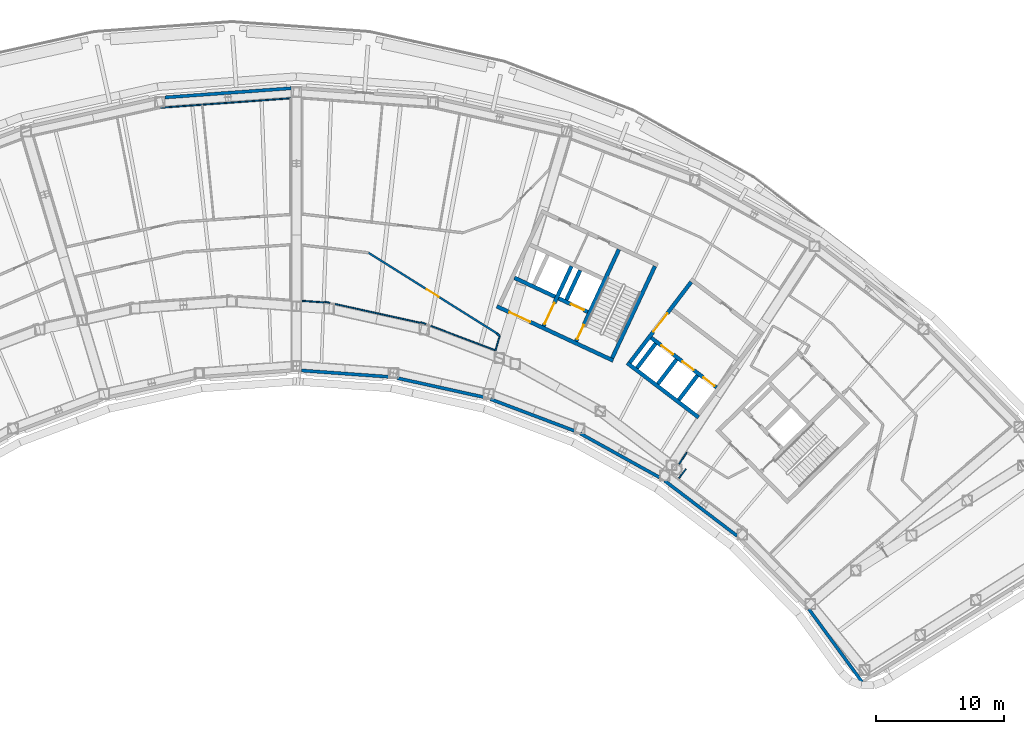
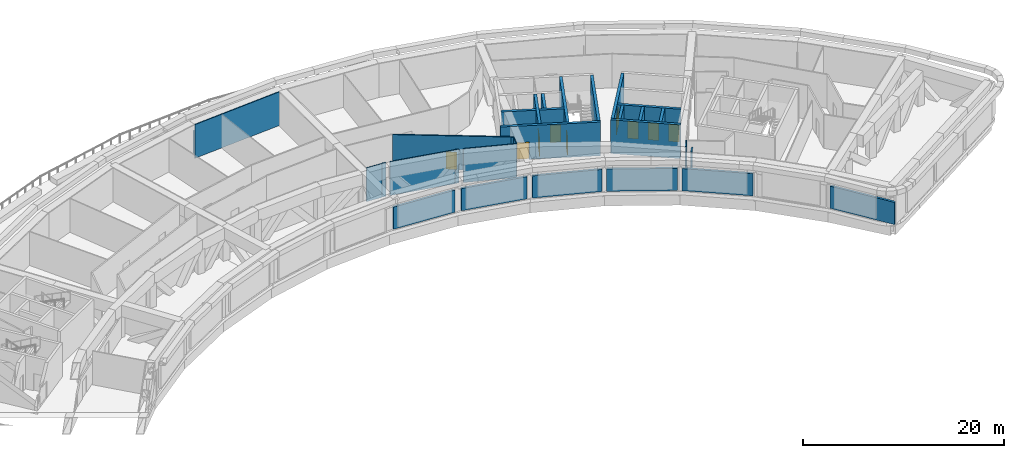
# One storey, part 9 of 24: 31 walls, 9 doors, 9 openings.
"""IFC4 building model written with IfcOpenShell, lengths in metres."""

from ifc_helpers import new_model, si_unit, direction, frame, frame_2d, origin, place, context, subcontext, project, spatial, rectangle, extrude, material, layer, layer_set, type_object, element, fill, save


model = new_model("IFC4")

# Units and contexts
model_context = context("Model", 3, precision=1e-05, world=origin(), true_north=direction((0.0, 1.0)))
body_context = subcontext(model_context, "Body", "Model", "MODEL_VIEW")
ifc_project = project(units=[si_unit("LENGTHUNIT", "METRE"), si_unit("AREAUNIT", "SQUARE_METRE"), si_unit("VOLUMEUNIT", "CUBIC_METRE"), si_unit("PLANEANGLEUNIT", "RADIAN"), si_unit("MASSUNIT", "GRAM", prefix="KILO")], contexts=[model_context])

# Site, building, storey
site_placement = place(None, origin())
site = spatial("IfcSite", under=ifc_project, at=site_placement, CompositionType="ELEMENT")
building_placement = place(site_placement, origin())
building = spatial("IfcBuilding", under=site, at=building_placement, Name="Tuul Gate Civic Tower", CompositionType="ELEMENT")
storey_placement = place(building_placement, frame((0.0, 0.0, 94.800048828125)))
storey = spatial("IfcBuildingStorey", under=building, at=storey_placement, Name="Plant and refuge floor 3", CompositionType="ELEMENT", Elevation=94.800048828125)

# Wall, opening, door
ifc_material_1 = material(Name="Concrete C50/60", Category="concrete")
ifc_layer_1 = layer(ifc_material_1, 0.300048828125)
ifc_layer_set_1 = layer_set([ifc_layer_1], Name="Concrete C50/60")
wall_type_1 = type_object("IfcWallType", Name="Core wall C50/60", PredefinedType="SHEAR", material=ifc_layer_set_1)
wall_1_placement = place(storey_placement, frame((34.5283203125, -7.25, 0.0), z_axis=(0.0, 0.0, 1.0), x_axis=(-0.906310338845, 0.422612789327, 0.0)))
wall_1 = element("IfcWall", 1, at=wall_1_placement, inside=storey, type_object=wall_type_1, Name="Core wall", PredefinedType="SHEAR", context=body_context, shape_type="SweptSolid", body=[
    extrude(rectangle(XDim=9.999755859375, YDim=0.300048828125, at=frame_2d((5.0, 0.0))), origin(), (0.0, 0.0, 1.0), 4.099853515625),
])
opening_1_placement = place(wall_1_placement, frame((7.125, 0.0, 0.0)))
opening_1 = element("IfcOpeningElement", 2, at=opening_1_placement, cuts=wall_1, Name="Opening LB-E3-LOBBY-1", PredefinedType="OPENING", context=body_context, shape_type="SweptSolid", body=[
    extrude(rectangle(XDim=1.800048828125, YDim=2.10009765625, at=frame_2d((0.89990234375, 1.050048828125))), frame((0.0, 0.16015625, 0.0), z_axis=(0.0, -1.0, 0.0), x_axis=(1.0, 0.0, 0.0)), (0.0, 0.0, 1.0), 0.320068359375),
])
ifc_material_2 = material(Name="Steel", Category="steel")
door_type_1 = type_object("IfcDoorType", Name="Lobby door", OperationType="DOUBLE_DOOR_SINGLE_SWING", PredefinedType="DOOR", material=ifc_material_2)
door_1_placement = place(opening_1_placement, frame((1.800048828125, 0.0, 0.0), z_axis=(0.0, 0.0, 1.0), x_axis=(-1.0, 0.0, 0.0)))
door_1 = element("IfcDoor", 3, at=door_1_placement, inside=storey, type_object=door_type_1, Name="Lobby door E3-LOBBY", OperationType="DOUBLE_DOOR_SINGLE_SWING", OverallHeight=2.10009765625, OverallWidth=1.800048828125, PredefinedType="DOOR", context=body_context, shape_type="SweptSolid", body=[
    extrude(rectangle(XDim=1.800048828125, YDim=2.10009765625, at=frame_2d((0.900146484375, 1.050048828125))), frame((0.0, 0.02490234375, 0.0), z_axis=(0.0, -1.0, 0.0), x_axis=(1.0, 0.0, 0.0)), (0.0, 0.0, 1.0), 0.050048828125),
])
fill(opening_1, door_1)

wall_2_placement = place(storey_placement, frame((32.545654296875, -3.456787109375, 0.0), z_axis=(0.0, 0.0, 1.0), x_axis=(-0.906300357825, 0.42263419337, 0.0)))
wall_2 = element("IfcWall", 4, at=wall_2_placement, inside=storey, type_object=wall_type_1, Name="Core wall", PredefinedType="SHEAR", context=body_context, shape_type="SweptSolid", body=[
    extrude(rectangle(XDim=2.500244140625, YDim=0.300048828125, at=frame_2d((1.25, 0.0))), origin(), (0.0, 0.0, 1.0), 4.099853515625),
])
opening_2_placement = place(wall_2_placement, frame((0.324951171875, 0.0, 0.0)))
opening_2 = element("IfcOpeningElement", 5, at=opening_2_placement, cuts=wall_2, Name="Opening LD-FF-2", PredefinedType="OPENING", context=body_context, shape_type="SweptSolid", body=[
    extrude(rectangle(XDim=1.10009765625, YDim=2.10009765625, at=frame_2d((0.550048828125, 1.050048828125))), frame((0.0, 0.16015625, 0.0), z_axis=(0.0, -1.0, 0.0), x_axis=(1.0, 0.0, 0.0)), (0.0, 0.0, 1.0), 0.320068359375),
])
ifc_material_3 = material(Name="Stainless steel", Category="steel")
door_type_2 = type_object("IfcDoorType", Name="Landing door", OperationType="DOUBLE_DOOR_SLIDING", PredefinedType="DOOR", material=ifc_material_3)
door_2_placement = place(opening_2_placement, origin())
door_2 = element("IfcDoor", 6, at=door_2_placement, inside=storey, type_object=door_type_2, Name="Fire-fighting lift FF-2 landing door", OperationType="DOUBLE_DOOR_SLIDING", OverallHeight=2.10009765625, OverallWidth=1.10009765625, PredefinedType="DOOR", context=body_context, shape_type="SweptSolid", body=[
    extrude(rectangle(XDim=1.10009765625, YDim=2.10009765625, at=frame_2d((0.550048828125, 1.050048828125))), frame((0.0, 0.02490234375, 0.0), z_axis=(0.0, -1.0, 0.0), x_axis=(1.0, 0.0, 0.0)), (0.0, 0.0, 1.0), 0.050048828125),
])
fill(opening_2, door_2)

# Walls
wall_3_placement = place(storey_placement, frame((30.0078125, -2.2734375, 0.0), z_axis=(0.0, 0.0, 1.0), x_axis=(-0.90630071767, 0.422633421716, 0.0)))
element("IfcWall", 7, at=wall_3_placement, inside=storey, type_object=wall_type_1, Name="Core wall", PredefinedType="SHEAR", context=body_context, shape_type="SweptSolid", body=[
    extrude(rectangle(XDim=3.5, YDim=0.300048828125, at=frame_2d((1.75, 0.0))), origin(), (0.0, 0.0, 1.0), 4.099853515625),
])
wall_4_placement = place(storey_placement, frame((34.455810546875, -7.05078125, 0.0), z_axis=(0.0, 0.0, 1.0), x_axis=(0.422570768258, 0.906329932096, 0.0)))
element("IfcWall", 8, at=wall_4_placement, inside=storey, type_object=wall_type_1, Name="Core wall", PredefinedType="SHEAR", context=body_context, shape_type="SweptSolid", body=[
    extrude(rectangle(XDim=7.900146484375, YDim=0.300048828125, at=frame_2d((3.9501953125, 0.0))), origin(), (0.0, 0.0, 1.0), 4.099853515625),
])

# Wall, opening, door
wall_5_placement = place(storey_placement, frame((31.646240234375, -5.740478515625, 0.0), z_axis=(0.0, 0.0, 1.0), x_axis=(0.422582604137, 0.906324413596, 0.0)))
wall_5 = element("IfcWall", 9, at=wall_5_placement, inside=storey, type_object=wall_type_1, Name="Core wall", PredefinedType="SHEAR", context=body_context, shape_type="SweptSolid", body=[
    extrude(rectangle(XDim=7.89990234375, YDim=0.300048828125, at=frame_2d((3.949951171875, 0.0))), origin(), (0.0, 0.0, 1.0), 4.099853515625),
])
opening_3_placement = place(wall_5_placement, frame((0.199951171875, 0.0, 0.0)))
opening_3 = element("IfcOpeningElement", 10, at=opening_3_placement, cuts=wall_5, Name="Opening SD-ST-4", PredefinedType="OPENING", context=body_context, shape_type="SweptSolid", body=[
    extrude(rectangle(XDim=1.199951171875, YDim=2.10009765625, at=frame_2d((0.60009765625, 1.050048828125))), frame((0.0, 0.16015625, 0.0), z_axis=(0.0, -1.0, 0.0), x_axis=(1.0, 0.0, 0.0)), (0.0, 0.0, 1.0), 0.320068359375),
])
ifc_material_4 = material(Name="Steel", Category="steel")
door_type_3 = type_object("IfcDoorType", Name="Stair door", OperationType="NOTDEFINED", PredefinedType="DOOR", material=ifc_material_4)
door_3_placement = place(opening_3_placement, origin())
door_3 = element("IfcDoor", 11, at=door_3_placement, inside=storey, type_object=door_type_3, Name="Stair door ST-4", OperationType="SINGLE_SWING_LEFT", OverallHeight=2.10009765625, OverallWidth=1.199951171875, PredefinedType="DOOR", context=body_context, shape_type="SweptSolid", body=[
    extrude(rectangle(XDim=1.199951171875, YDim=2.10009765625, at=frame_2d((0.60009765625, 1.050048828125))), frame((0.0, 0.02490234375, 0.0), z_axis=(0.0, -1.0, 0.0), x_axis=(1.0, 0.0, 0.0)), (0.0, 0.0, 1.0), 0.050048828125),
])
fill(opening_3, door_3)

# Wall
wall_6_placement = place(storey_placement, frame((30.886962890625, -2.517822265625, 0.0), z_axis=(0.0, 0.0, 1.0), x_axis=(0.422612891016, 0.906310291427, 0.0)))
element("IfcWall", 12, at=wall_6_placement, inside=storey, type_object=wall_type_1, Name="Core wall", PredefinedType="SHEAR", context=body_context, shape_type="SweptSolid", body=[
    extrude(rectangle(XDim=2.550048828125, YDim=0.300048828125, at=frame_2d((1.27490234375, 0.0))), origin(), (0.0, 0.0, 1.0), 4.099853515625),
])

# Wall, opening, door
wall_7_placement = place(storey_placement, frame((29.108642578125, -4.557373046875, 0.0), z_axis=(0.0, 0.0, 1.0), x_axis=(0.422566235356, 0.90633204552, 0.0)))
wall_7 = element("IfcWall", 13, at=wall_7_placement, inside=storey, type_object=wall_type_1, Name="Core wall", PredefinedType="SHEAR", context=body_context, shape_type="SweptSolid", body=[
    extrude(rectangle(XDim=5.150146484375, YDim=0.300048828125, at=frame_2d((2.5751953125, 0.0))), origin(), (0.0, 0.0, 1.0), 4.099853515625),
])
opening_4_placement = place(wall_7_placement, frame((0.175048828125, 0.0, 0.0)))
opening_4 = element("IfcOpeningElement", 14, at=opening_4_placement, cuts=wall_7, Name="Opening LB-E3-FLOBBY-1", PredefinedType="OPENING", context=body_context, shape_type="SweptSolid", body=[
    extrude(rectangle(XDim=1.800048828125, YDim=2.10009765625, at=frame_2d((0.89990234375, 1.050048828125))), frame((0.0, 0.16015625, 0.0), z_axis=(0.0, -1.0, 0.0), x_axis=(1.0, 0.0, 0.0)), (0.0, 0.0, 1.0), 0.320068359375),
])
door_4_placement = place(opening_4_placement, frame((1.800048828125, 0.0, 0.0), z_axis=(0.0, 0.0, 1.0), x_axis=(-1.0, 0.0, 0.0)))
door_4 = element("IfcDoor", 15, at=door_4_placement, inside=storey, type_object=door_type_1, Name="Lobby door E3-FLOBBY", OperationType="DOUBLE_DOOR_SINGLE_SWING", OverallHeight=2.10009765625, OverallWidth=1.800048828125, PredefinedType="DOOR", context=body_context, shape_type="SweptSolid", body=[
    extrude(rectangle(XDim=1.800048828125, YDim=2.10009765625, at=frame_2d((0.900146484375, 1.050048828125))), frame((0.0, 0.02490234375, 0.0), z_axis=(0.0, -1.0, 0.0), x_axis=(1.0, 0.0, 0.0)), (0.0, 0.0, 1.0), 0.050048828125),
])
fill(opening_4, door_4)

ifc_material_5 = material(Name="Gypsum board partition")
ifc_layer_2 = layer(ifc_material_5, 0.14990234375)
ifc_layer_set_2 = layer_set([ifc_layer_2], Name="Gypsum board partition")
wall_type_2 = type_object("IfcWallType", Name="Corridor wall P150", PredefinedType="PARTITIONING", material=ifc_layer_set_2)
wall_8_placement = place(storey_placement, frame((15.45361328125, 1.156005859375, 0.0), z_axis=(0.0, 0.0, 1.0), x_axis=(0.847100304124, -0.531433038824, 0.0)))
wall_8 = element("IfcWall", 16, at=wall_8_placement, inside=storey, type_object=wall_type_2, Name="p012", PredefinedType="PARTITIONING", context=body_context, shape_type="SweptSolid", body=[
    extrude(rectangle(XDim=11.837890625, YDim=0.14990234375, at=frame_2d((5.9189453125, 0.0))), origin(), (0.0, 0.0, 1.0), 4.099853515625),
])
opening_5_placement = place(wall_8_placement, frame((5.368896484375, 0.0, 0.0)))
opening_5 = element("IfcOpeningElement", 17, at=opening_5_placement, cuts=wall_8, Name="Opening PA-D11", PredefinedType="OPENING", context=body_context, shape_type="SweptSolid", body=[
    extrude(rectangle(XDim=1.10009765625, YDim=2.10009765625, at=frame_2d((0.550048828125, 1.050048828125))), frame((0.0, 0.0849609375, 0.0), z_axis=(0.0, -1.0, 0.0), x_axis=(1.0, 0.0, 0.0)), (0.0, 0.0, 1.0), 0.169921875),
])
ifc_material_6 = material(Name="Timber door leaf", Category="wood")
door_type_4 = type_object("IfcDoorType", Name="Door D11", OperationType="NOTDEFINED", PredefinedType="DOOR", material=ifc_material_6)
door_5_placement = place(opening_5_placement, frame((1.10009765625, 0.0, 0.0), z_axis=(0.0, 0.0, 1.0), x_axis=(-1.0, 0.0, 0.0)))
door_5 = element("IfcDoor", 18, at=door_5_placement, inside=storey, type_object=door_type_4, Name="Door PA-D11", OperationType="SINGLE_SWING_LEFT", OverallHeight=2.10009765625, OverallWidth=1.10009765625, PredefinedType="DOOR", context=body_context, shape_type="SweptSolid", body=[
    extrude(rectangle(XDim=1.10009765625, YDim=2.10009765625, at=frame_2d((0.550048828125, 1.050048828125))), frame((0.0, 0.02490234375, 0.0), z_axis=(0.0, -1.0, 0.0), x_axis=(1.0, 0.0, 0.0)), (0.0, 0.0, 1.0), 0.050048828125),
])
fill(opening_5, door_5)

# Walls
wall_9_placement = place(storey_placement, frame((25.486328125, -5.138916015625, 0.0), z_axis=(0.0, 0.0, 1.0), x_axis=(0.674249577441, -0.73850355945, 0.0)))
element("IfcWall", 19, at=wall_9_placement, inside=storey, type_object=wall_type_2, Name="p028", PredefinedType="PARTITIONING", context=body_context, shape_type="SweptSolid", body=[
    extrude(rectangle(XDim=0.29248046875, YDim=0.14990234375, at=frame_2d((0.146240234375, 0.0))), origin(), (0.0, 0.0, 1.0), 4.099853515625),
])
ifc_material_7 = material(Name="Precast concrete C40/50", Category="concrete")
ifc_layer_3 = layer(ifc_material_7, 0.25)
ifc_layer_set_3 = layer_set([ifc_layer_3], Name="Precast concrete C40/50")
wall_type_3 = type_object("IfcWallType", Name="External wall 2700 HIGH", PredefinedType="STANDARD", material=ifc_layer_set_3)
wall_10_placement = place(storey_placement, frame((9.428955078125, 13.983642578125, 0.0), z_axis=(0.0, 0.0, 1.0), x_axis=(-0.997380429457, -0.072334493409, 0.0)))
element("IfcWall", 20, at=wall_10_placement, inside=storey, type_object=wall_type_3, Name="External wall", PredefinedType="STANDARD", context=body_context, shape_type="SweptSolid", body=[
    extrude(rectangle(XDim=9.875732421875, YDim=0.25, at=frame_2d((4.93798828125, 0.0))), origin(), (0.0, 0.0, 1.0), 2.699951171875),
])
wall_11_placement = place(storey_placement, frame((10.22900390625, -8.024658203125, 0.0), z_axis=(0.0, 0.0, 1.0), x_axis=(0.997395153804, -0.072131180277, 0.0)))
element("IfcWall", 21, at=wall_11_placement, inside=storey, type_object=wall_type_3, Name="External wall", PredefinedType="STANDARD", context=body_context, shape_type="SweptSolid", body=[
    extrude(rectangle(XDim=6.78955078125, YDim=0.25, at=frame_2d((3.394775390625, 0.0))), origin(), (0.0, 0.0, 1.0), 2.699951171875),
])
wall_12_placement = place(storey_placement, frame((17.7080078125, -8.617919921875, 0.0), z_axis=(0.0, 0.0, 1.0), x_axis=(0.976561146318, -0.215240162382, 0.0)))
element("IfcWall", 22, at=wall_12_placement, inside=storey, type_object=wall_type_3, Name="External wall", PredefinedType="STANDARD", context=body_context, shape_type="SweptSolid", body=[
    extrude(rectangle(XDim=6.867919921875, YDim=0.25, at=frame_2d((3.43408203125, 0.0))), origin(), (0.0, 0.0, 1.0), 2.699951171875),
])
wall_13_placement = place(storey_placement, frame((24.954833984375, -10.251953125, 0.0), z_axis=(0.0, 0.0, 1.0), x_axis=(0.935355682323, -0.35370856301, 0.0)))
element("IfcWall", 23, at=wall_13_placement, inside=storey, type_object=wall_type_3, Name="External wall", PredefinedType="STANDARD", context=body_context, shape_type="SweptSolid", body=[
    extrude(rectangle(XDim=7.013427734375, YDim=0.25, at=frame_2d((3.5068359375, 0.0))), origin(), (0.0, 0.0, 1.0), 2.699951171875),
])
wall_14_placement = place(storey_placement, frame((31.967529296875, -12.93701171875, 0.0), z_axis=(0.0, 0.0, 1.0), x_axis=(0.874625686175, -0.484798833625, 0.0)))
element("IfcWall", 24, at=wall_14_placement, inside=storey, type_object=wall_type_3, Name="External wall", PredefinedType="STANDARD", context=body_context, shape_type="SweptSolid", body=[
    extrude(rectangle(XDim=7.074462890625, YDim=0.25, at=frame_2d((3.537109375, 0.0))), origin(), (0.0, 0.0, 1.0), 2.699951171875),
])
wall_15_placement = place(storey_placement, frame((38.54541015625, -16.617919921875, 0.0), z_axis=(0.0, 0.0, 1.0), x_axis=(0.795585563535, -0.605841242484, 0.0)))
element("IfcWall", 25, at=wall_15_placement, inside=storey, type_object=wall_type_3, Name="External wall", PredefinedType="STANDARD", context=body_context, shape_type="SweptSolid", body=[
    extrude(rectangle(XDim=7.1025390625, YDim=0.25, at=frame_2d((3.55126953125, 0.0))), origin(), (0.0, 0.0, 1.0), 2.699951171875),
])
wall_16_placement = place(storey_placement, frame((49.799560546875, -26.637939453125, 0.0), z_axis=(0.0, 0.0, 1.0), x_axis=(0.589738966527, -0.807593927267, 0.0)))
element("IfcWall", 26, at=wall_16_placement, inside=storey, type_object=wall_type_3, Name="External wall", PredefinedType="STANDARD", context=body_context, shape_type="SweptSolid", body=[
    extrude(rectangle(XDim=7.034423828125, YDim=0.25, at=frame_2d((3.51708984375, 0.0))), origin(), (0.0, 0.0, 1.0), 2.699951171875),
])
ifc_material_8 = material(Name="Concrete C40/50", Category="concrete")
ifc_layer_4 = layer(ifc_material_8, 0.300048828125)
ifc_layer_set_4 = layer_set([ifc_layer_4], Name="Concrete C40/50")
wall_type_4 = type_object("IfcWallType", Name="Lift shaft wall C40/50", PredefinedType="STANDARD", material=ifc_layer_set_4)
wall_17_placement = place(storey_placement, frame((41.19189453125, -11.677734375, 0.0), z_axis=(0.0, 0.0, 1.0), x_axis=(-0.795563000331, 0.605870871147, 0.0)))
element("IfcWall", 27, at=wall_17_placement, inside=storey, type_object=wall_type_4, Name="Shaft wall", PredefinedType="STANDARD", context=body_context, shape_type="SweptSolid", body=[
    extrude(rectangle(XDim=7.000244140625, YDim=0.300048828125, at=frame_2d((3.5, 0.0))), origin(), (0.0, 0.0, 1.0), 4.099853515625),
])

# Wall, openings, doors
wall_18_placement = place(storey_placement, frame((42.5888671875, -9.34765625, 0.0), z_axis=(0.0, 0.0, 1.0), x_axis=(-0.795584062101, 0.605843214149, 0.0)))
wall_18 = element("IfcWall", 28, at=wall_18_placement, inside=storey, type_object=wall_type_4, Name="Shaft wall", PredefinedType="STANDARD", context=body_context, shape_type="SweptSolid", body=[
    extrude(rectangle(XDim=6.400146484375, YDim=0.300048828125, at=frame_2d((3.2001953125, 0.0))), origin(), (0.0, 0.0, 1.0), 4.099853515625),
])
opening_6_placement = place(wall_18_placement, frame((0.175048828125, 0.0, 0.0)))
opening_6 = element("IfcOpeningElement", 29, at=opening_6_placement, cuts=wall_18, Name="Opening LD-L1", PredefinedType="OPENING", context=body_context, shape_type="SweptSolid", body=[
    extrude(rectangle(XDim=1.10009765625, YDim=2.10009765625, at=frame_2d((0.550048828125, 1.050048828125))), frame((0.0, 0.16015625, 0.0), z_axis=(0.0, -1.0, 0.0), x_axis=(1.0, 0.0, 0.0)), (0.0, 0.0, 1.0), 0.320068359375),
])
opening_7_placement = place(wall_18_placement, frame((2.22509765625, 0.0, 0.0)))
opening_7 = element("IfcOpeningElement", 30, at=opening_7_placement, cuts=wall_18, Name="Opening LD-L2", PredefinedType="OPENING", context=body_context, shape_type="SweptSolid", body=[
    extrude(rectangle(XDim=1.10009765625, YDim=2.10009765625, at=frame_2d((0.550048828125, 1.050048828125))), frame((0.0, 0.16015625, 0.0), z_axis=(0.0, -1.0, 0.0), x_axis=(1.0, 0.0, 0.0)), (0.0, 0.0, 1.0), 0.320068359375),
])
opening_8_placement = place(wall_18_placement, frame((4.27490234375, 0.0, 0.0)))
opening_8 = element("IfcOpeningElement", 31, at=opening_8_placement, cuts=wall_18, Name="Opening LD-L3", PredefinedType="OPENING", context=body_context, shape_type="SweptSolid", body=[
    extrude(rectangle(XDim=1.10009765625, YDim=2.10009765625, at=frame_2d((0.550048828125, 1.050048828125))), frame((0.0, 0.16015625, 0.0), z_axis=(0.0, -1.0, 0.0), x_axis=(1.0, 0.0, 0.0)), (0.0, 0.0, 1.0), 0.320068359375),
])
door_6_placement = place(opening_6_placement, origin())
door_6 = element("IfcDoor", 32, at=door_6_placement, inside=storey, type_object=door_type_2, Name="Low-rise lift L1 landing door", OperationType="DOUBLE_DOOR_SLIDING", OverallHeight=2.10009765625, OverallWidth=1.10009765625, PredefinedType="DOOR", context=body_context, shape_type="SweptSolid", body=[
    extrude(rectangle(XDim=1.10009765625, YDim=2.10009765625, at=frame_2d((0.550048828125, 1.050048828125))), frame((0.0, 0.02490234375, 0.0), z_axis=(0.0, -1.0, 0.0), x_axis=(1.0, 0.0, 0.0)), (0.0, 0.0, 1.0), 0.050048828125),
])
fill(opening_6, door_6)
door_7_placement = place(opening_7_placement, origin())
door_7 = element("IfcDoor", 33, at=door_7_placement, inside=storey, type_object=door_type_2, Name="Low-rise lift L2 landing door", OperationType="DOUBLE_DOOR_SLIDING", OverallHeight=2.10009765625, OverallWidth=1.10009765625, PredefinedType="DOOR", context=body_context, shape_type="SweptSolid", body=[
    extrude(rectangle(XDim=1.10009765625, YDim=2.10009765625, at=frame_2d((0.550048828125, 1.050048828125))), frame((0.0, 0.02490234375, 0.0), z_axis=(0.0, -1.0, 0.0), x_axis=(1.0, 0.0, 0.0)), (0.0, 0.0, 1.0), 0.050048828125),
])
fill(opening_7, door_7)
door_8_placement = place(opening_8_placement, origin())
door_8 = element("IfcDoor", 34, at=door_8_placement, inside=storey, type_object=door_type_2, Name="Low-rise lift L3 landing door", OperationType="DOUBLE_DOOR_SLIDING", OverallHeight=2.10009765625, OverallWidth=1.10009765625, PredefinedType="DOOR", context=body_context, shape_type="SweptSolid", body=[
    extrude(rectangle(XDim=1.10009765625, YDim=2.10009765625, at=frame_2d((0.550048828125, 1.050048828125))), frame((0.0, 0.02490234375, 0.0), z_axis=(0.0, -1.0, 0.0), x_axis=(1.0, 0.0, 0.0)), (0.0, 0.0, 1.0), 0.050048828125),
])
fill(opening_8, door_8)

# Walls
wall_19_placement = place(storey_placement, frame((39.65185546875, -10.31640625, 0.0), z_axis=(0.0, 0.0, 1.0), x_axis=(0.605745892068, 0.79565816419, 0.0)))
element("IfcWall", 35, at=wall_19_placement, inside=storey, type_object=wall_type_4, Name="Shaft wall", PredefinedType="STANDARD", context=body_context, shape_type="SweptSolid", body=[
    extrude(rectangle(XDim=2.400146484375, YDim=0.300048828125, at=frame_2d((1.2001953125, 0.0))), origin(), (0.0, 0.0, 1.0), 4.099853515625),
])
wall_20_placement = place(storey_placement, frame((38.02099609375, -9.07421875, 0.0), z_axis=(0.0, 0.0, 1.0), x_axis=(0.605730519254, 0.795669867498, 0.0)))
element("IfcWall", 36, at=wall_20_placement, inside=storey, type_object=wall_type_4, Name="Shaft wall", PredefinedType="STANDARD", context=body_context, shape_type="SweptSolid", body=[
    extrude(rectangle(XDim=2.399658203125, YDim=0.300048828125, at=frame_2d((1.19970703125, 0.0))), origin(), (0.0, 0.0, 1.0), 4.099853515625),
])
wall_21_placement = place(storey_placement, frame((36.389892578125, -7.832275390625, 0.0), z_axis=(0.0, 0.0, 1.0), x_axis=(0.605745892068, 0.79565816419, 0.0)))
element("IfcWall", 37, at=wall_21_placement, inside=storey, type_object=wall_type_4, Name="Shaft wall", PredefinedType="STANDARD", context=body_context, shape_type="SweptSolid", body=[
    extrude(rectangle(XDim=2.400146484375, YDim=0.300048828125, at=frame_2d((1.2001953125, 0.0))), origin(), (0.0, 0.0, 1.0), 4.099853515625),
])

# Wall, opening, door
wall_22_placement = place(storey_placement, frame((35.8330078125, -7.408203125, 0.0), z_axis=(0.0, 0.0, 1.0), x_axis=(0.605769437763, 0.795640237967, 0.0)))
wall_22 = element("IfcWall", 38, at=wall_22_placement, inside=storey, type_object=wall_type_4, Name="Shaft wall", PredefinedType="STANDARD", context=body_context, shape_type="SweptSolid", body=[
    extrude(rectangle(XDim=7.900146484375, YDim=0.300048828125, at=frame_2d((3.9501953125, 0.0))), origin(), (0.0, 0.0, 1.0), 4.099853515625),
])
opening_9_placement = place(wall_22_placement, frame((3.02490234375, 0.0, 0.0)))
opening_9 = element("IfcOpeningElement", 39, at=opening_9_placement, cuts=wall_22, Name="Opening LB-E2-LOBBY-1", PredefinedType="OPENING", context=body_context, shape_type="SweptSolid", body=[
    extrude(rectangle(XDim=1.800048828125, YDim=2.10009765625, at=frame_2d((0.89990234375, 1.050048828125))), frame((0.0, 0.16015625, 0.0), z_axis=(0.0, -1.0, 0.0), x_axis=(1.0, 0.0, 0.0)), (0.0, 0.0, 1.0), 0.320068359375),
])
door_9_placement = place(opening_9_placement, frame((1.800048828125, 0.0, 0.0), z_axis=(0.0, 0.0, 1.0), x_axis=(-1.0, 0.0, 0.0)))
door_9 = element("IfcDoor", 40, at=door_9_placement, inside=storey, type_object=door_type_1, Name="Lobby door E2-LOBBY", OperationType="DOUBLE_DOOR_SINGLE_SWING", OverallHeight=2.10009765625, OverallWidth=1.800048828125, PredefinedType="DOOR", context=body_context, shape_type="SweptSolid", body=[
    extrude(rectangle(XDim=1.800048828125, YDim=2.10009765625, at=frame_2d((0.900146484375, 1.050048828125))), frame((0.0, 0.02490234375, 0.0), z_axis=(0.0, -1.0, 0.0), x_axis=(1.0, 0.0, 0.0)), (0.0, 0.0, 1.0), 0.050048828125),
])
fill(opening_9, door_9)

# Walls
ifc_material_9 = material(Name="Gypsum board partition")
ifc_layer_5 = layer(ifc_material_9, 0.10009765625)
ifc_layer_set_5 = layer_set([ifc_layer_5], Name="Gypsum board partition")
wall_type_5 = type_object("IfcWallType", Name="Partition P100", PredefinedType="PARTITIONING", material=ifc_layer_set_5)
wall_23_placement = place(storey_placement, frame((39.660400390625, -16.426513671875, 0.0), z_axis=(0.0, 0.0, 1.0), x_axis=(0.605887877887, 0.79555004835, 0.0)))
element("IfcWall", 41, at=wall_23_placement, inside=storey, type_object=wall_type_5, Name="p062", PredefinedType="PARTITIONING", context=body_context, shape_type="SweptSolid", body=[
    extrude(rectangle(XDim=0.89990234375, YDim=0.10009765625, at=frame_2d((0.449951171875, 0.0))), origin(), (0.0, 0.0, 1.0), 4.099853515625),
])
wall_24_placement = place(storey_placement, frame((39.683349609375, -15.31298828125, 0.0), z_axis=(0.0, 0.0, 1.0), x_axis=(0.546759652456, 0.837289604883, 0.0)))
element("IfcWall", 42, at=wall_24_placement, inside=storey, type_object=wall_type_5, Name="p063", PredefinedType="PARTITIONING", context=body_context, shape_type="SweptSolid", body=[
    extrude(rectangle(XDim=1.07470703125, YDim=0.10009765625, at=frame_2d((0.537353515625, 0.0))), origin(), (0.0, 0.0, 1.0), 4.099853515625),
])
wall_25_placement = place(storey_placement, frame((25.68359375, -5.35498046875, 0.0), z_axis=(0.0, 0.0, 1.0), x_axis=(-0.285335097938, -0.958427817775, 0.0)))
element("IfcWall", 43, at=wall_25_placement, inside=storey, type_object=wall_type_5, Name="p079", PredefinedType="PARTITIONING", context=body_context, shape_type="SweptSolid", body=[
    extrude(rectangle(XDim=1.146484375, YDim=0.10009765625, at=frame_2d((0.5732421875, 0.0))), origin(), (0.0, 0.0, 1.0), 4.099853515625),
])
wall_26_placement = place(storey_placement, frame((25.3564453125, -6.453857421875, 0.0), z_axis=(0.0, 0.0, 1.0), x_axis=(-0.935332866629, 0.353768891515, 0.0)))
element("IfcWall", 44, at=wall_26_placement, inside=storey, type_object=wall_type_5, Name="p080", PredefinedType="PARTITIONING", context=body_context, shape_type="SweptSolid", body=[
    extrude(rectangle(XDim=5.3876953125, YDim=0.10009765625, at=frame_2d((2.69384765625, 0.0))), origin(), (0.0, 0.0, 1.0), 4.099853515625),
])
wall_27_placement = place(storey_placement, frame((19.922607421875, -4.398681640625, 0.0), z_axis=(0.0, 0.0, 1.0), x_axis=(-0.93529148989, 0.353878268532, 0.0)))
element("IfcWall", 45, at=wall_27_placement, inside=storey, type_object=wall_type_5, Name="p081", PredefinedType="PARTITIONING", context=body_context, shape_type="SweptSolid", body=[
    extrude(rectangle(XDim=0.41748046875, YDim=0.10009765625, at=frame_2d((0.208740234375, 0.0))), origin(), (0.0, 0.0, 1.0), 4.099853515625),
])
wall_28_placement = place(storey_placement, frame((19.5107421875, -4.307861328125, 0.0), z_axis=(0.0, 0.0, 1.0), x_axis=(-0.976590898887, 0.215105128276, 0.0)))
element("IfcWall", 46, at=wall_28_placement, inside=storey, type_object=wall_type_5, Name="p082", PredefinedType="PARTITIONING", context=body_context, shape_type="SweptSolid", body=[
    extrude(rectangle(XDim=6.813232421875, YDim=0.10009765625, at=frame_2d((3.40673828125, 0.0))), origin(), (0.0, 0.0, 1.0), 4.099853515625),
])
wall_29_placement = place(storey_placement, frame((12.445068359375, -2.75146484375, 0.0), z_axis=(0.0, 0.0, 1.0), x_axis=(-0.976570782862, 0.215196435984, 0.0)))
element("IfcWall", 47, at=wall_29_placement, inside=storey, type_object=wall_type_5, Name="p083", PredefinedType="PARTITIONING", context=body_context, shape_type="SweptSolid", body=[
    extrude(rectangle(XDim=0.41748046875, YDim=0.10009765625, at=frame_2d((0.208740234375, 0.0))), origin(), (0.0, 0.0, 1.0), 4.099853515625),
])
wall_30_placement = place(storey_placement, frame((12.0244140625, -2.720947265625, 0.0), z_axis=(0.0, 0.0, 1.0), x_axis=(-0.997385233221, 0.072268226438, 0.0)))
element("IfcWall", 48, at=wall_30_placement, inside=storey, type_object=wall_type_5, Name="p084", PredefinedType="PARTITIONING", context=body_context, shape_type="SweptSolid", body=[
    extrude(rectangle(XDim=1.75, YDim=0.10009765625, at=frame_2d((0.875, 0.0))), origin(), (0.0, 0.0, 1.0), 4.099853515625),
])
wall_31_placement = place(storey_placement, frame((-0.756103515625, 12.468505859375, 0.0), z_axis=(0.0, 0.0, 1.0), x_axis=(0.99739031513, 0.072198055958, 0.0)))
element("IfcWall", 49, at=wall_31_placement, inside=storey, type_object=wall_type_5, Name="p093", PredefinedType="PARTITIONING", context=body_context, shape_type="SweptSolid", body=[
    extrude(rectangle(XDim=10.16162109375, YDim=0.10009765625, at=frame_2d((5.080810546875, 0.0))), origin(), (0.0, 0.0, 1.0), 4.099853515625),
])

save(model, "model.ifc")
